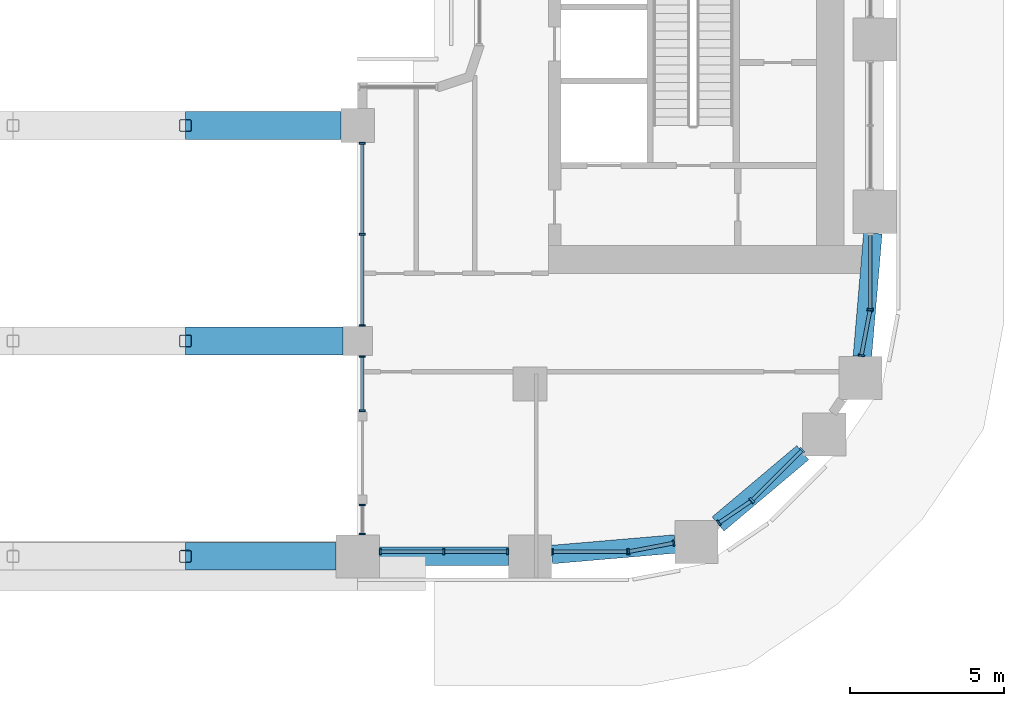
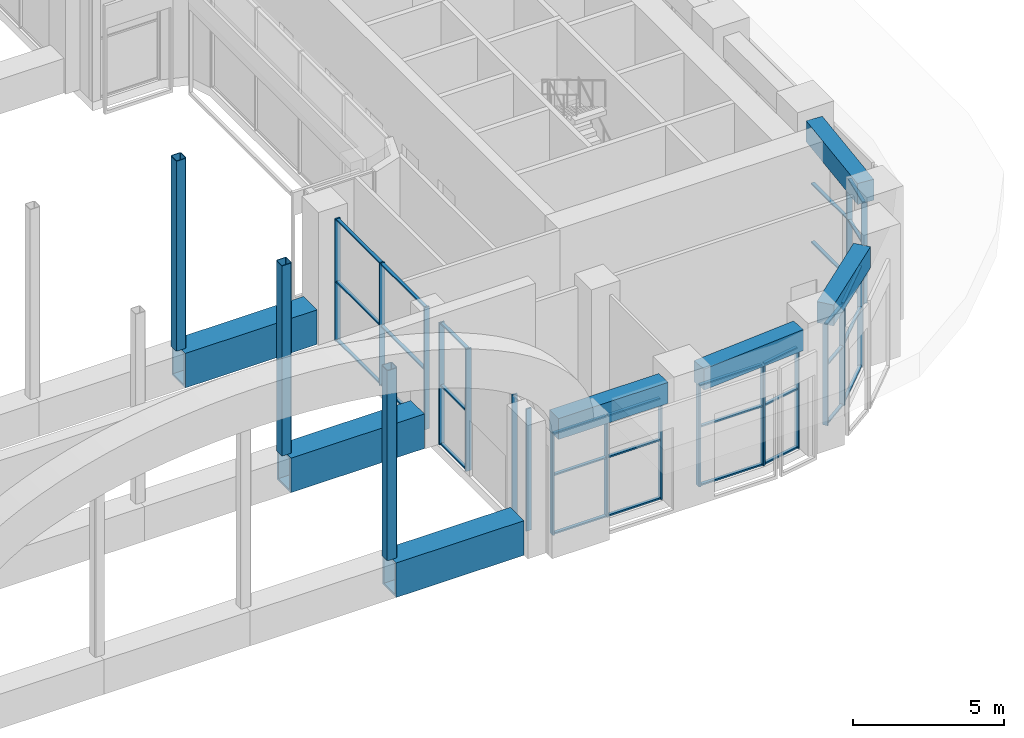
# One storey, part 5 of 27: 59 members, 4 beams, 10 elements without a shape of their own.
"""IFC4 building model written with IfcOpenShell, lengths in metres."""

from ifc_helpers import new_model, si_unit, direction, frame, origin, origin_2d, place, context, subcontext, project, spatial, rectangle, hollow_rectangle, extrude, material, layer, layer_set, material_profile, profile_set, type_object, element, aggregate, save


model = new_model("IFC4")

# Units and contexts
model_context = context("Model", 3, precision=1e-05, world=origin(), true_north=direction((0.0, 1.0)))
body_context = subcontext(model_context, "Body", "Model", "MODEL_VIEW")
ifc_project = project(units=[si_unit("LENGTHUNIT", "METRE"), si_unit("AREAUNIT", "SQUARE_METRE"), si_unit("VOLUMEUNIT", "CUBIC_METRE"), si_unit("PLANEANGLEUNIT", "RADIAN"), si_unit("MASSUNIT", "GRAM", prefix="KILO")], contexts=[model_context])

# Site, building, storey
site_placement = place(None, origin())
site = spatial("IfcSite", under=ifc_project, at=site_placement, CompositionType="ELEMENT")
building_placement = place(site_placement, origin())
building = spatial("IfcBuilding", under=site, at=building_placement, Name="Kiln Ring Residences", CompositionType="ELEMENT")
storey_placement = place(building_placement, frame((0.0, 0.0, 72.5)))
storey = spatial("IfcBuildingStorey", under=building, at=storey_placement, Name="L18", CompositionType="ELEMENT", Elevation=72.5)

# Members
ifc_material_1 = material(Name="Steel S460", Category="steel")
ifc_material_profile_1 = material_profile(ifc_material_1, hollow_rectangle(XDim=0.89990234375, YDim=1.39990234375, WallThickness=0.080078125, at=origin_2d()), Name="BOX1400x900x80")
ifc_profile_set_1 = profile_set([ifc_material_profile_1], Name="Steel S460")
member_type_1 = type_object("IfcMemberType", Name="Bridge truss chord BOX1400x900x80 S460", PredefinedType="CHORD", material=ifc_profile_set_1)
member_1_placement = place(storey_placement, frame((5.60009765625, -22.39990234375, 0.699951171875), z_axis=(1.0, 0.0, 0.0), x_axis=(0.0, 1.0, 0.0)))
element("IfcMember", 1, at=member_1_placement, inside=storey, type_object=member_type_1, Name="Bridge truss chord L18 4", PredefinedType="CHORD", context=body_context, shape_type="SweptSolid", body=[
    extrude(hollow_rectangle(XDim=0.89990234375, YDim=1.39990234375, WallThickness=0.080078125, at=origin_2d()), origin(), (0.0, 0.0, 1.0), 4.89990234375),
])
member_2_placement = place(storey_placement, frame((5.60009765625, -15.39990234375, 0.699951171875), z_axis=(1.0, 0.0, 0.0), x_axis=(0.0, 1.0, 0.0)))
element("IfcMember", 2, at=member_2_placement, inside=storey, type_object=member_type_1, Name="Bridge truss chord L18 8", PredefinedType="CHORD", context=body_context, shape_type="SweptSolid", body=[
    extrude(hollow_rectangle(XDim=0.89990234375, YDim=1.39990234375, WallThickness=0.080078125, at=origin_2d()), origin(), (0.0, 0.0, 1.0), 5.125),
])
member_3_placement = place(storey_placement, frame((5.60009765625, -8.39990234375, 0.699951171875), z_axis=(1.0, 0.0, 0.0), x_axis=(0.0, 1.0, 0.0)))
element("IfcMember", 3, at=member_3_placement, inside=storey, type_object=member_type_1, Name="Bridge truss chord L18 12", PredefinedType="CHORD", context=body_context, shape_type="SweptSolid", body=[
    extrude(hollow_rectangle(XDim=0.89990234375, YDim=1.39990234375, WallThickness=0.080078125, at=origin_2d()), origin(), (0.0, 0.0, 1.0), 5.0498046875),
])
ifc_material_2 = material(Name="Steel S355", Category="steel")
ifc_material_profile_2 = material_profile(ifc_material_2, hollow_rectangle(XDim=0.39990234375, YDim=0.39990234375, WallThickness=0.02490234375, InnerFilletRadius=0.02490234375, OuterFilletRadius=0.0625, at=origin_2d()), Name="SHS400x400x25")
ifc_profile_set_2 = profile_set([ifc_material_profile_2], Name="Steel S355")
member_type_2 = type_object("IfcMemberType", Name="Bridge truss post SHS400x400x25 S355", PredefinedType="POST", material=ifc_profile_set_2)
for number, where, z_axis, x_axis, name in (
    (4, (5.60009765625, -22.39990234375, 1.39990234375), (0.0, 0.0, 1.0), (1.0, 0.0, 0.0), "Bridge truss post L18 3"),
    (5, (5.60009765625, -15.39990234375, 1.39990234375), (0.0, 0.0, 1.0), (1.0, 0.0, 0.0), "Bridge truss post L18 6"),
    (6, (5.60009765625, -8.39990234375, 1.39990234375), (0.0, 0.0, 1.0), (1.0, 0.0, 0.0), "Bridge truss post L18 9"),
):
    element("IfcMember", number, at=place(storey_placement, frame(where, z_axis=z_axis, x_axis=x_axis)), inside=storey, type_object=member_type_2, Name=name, PredefinedType="POST", context=body_context, shape_type="SweptSolid", body=[
        extrude(hollow_rectangle(XDim=0.39990234375, YDim=0.39990234375, WallThickness=0.02490234375, InnerFilletRadius=0.02490234375, OuterFilletRadius=0.0625, at=origin_2d()), origin(), (0.0, 0.0, 1.0), 7.7001953125),
    ])

# Curtain wall, members
ifc_material_3 = material(Name="Aluminium and glass", Category="aluminium")
ifc_layer = layer(ifc_material_3, 0.199951171875)
ifc_layer_set = layer_set([ifc_layer], Name="CW1 CURTAIN WALL")
curtain_wall_type = type_object("IfcCurtainWallType", Name="CW1 CURTAIN WALL", PredefinedType="NOTDEFINED", material=ifc_layer_set)
placement = place(storey_placement, origin())
curtain_wall_1 = element("IfcCurtainWall", 7, at=placement, inside=storey, type_object=curtain_wall_type, Name="Curtain wall CW1 L18", PredefinedType="NOTDEFINED")
ifc_material_4 = material(Name="Aluminium 6063-T6", Category="aluminium")
ifc_material_profile_3 = material_profile(ifc_material_4, rectangle(XDim=0.199951171875, YDim=0.06005859375, at=origin_2d()), Name="AL 200x60")
ifc_profile_set_3 = profile_set([ifc_material_profile_3], Name="Aluminium 6063-T6")
member_type_3 = type_object("IfcMemberType", Name="CW1 MULLION 200 x 60", PredefinedType="MULLION", material=ifc_profile_set_3)
member_4_placement = place(storey_placement, frame((11.35009765625, -8.97998046875, 0.0), z_axis=(0.0, 0.0, 1.0), x_axis=(1.0, 0.0, 0.0)))
member_4 = element("IfcMember", 8, at=member_4_placement, type_object=member_type_3, Name="CW1 mullion 1", PredefinedType="MULLION", context=body_context, shape_type="SweptSolid", body=[
    extrude(rectangle(XDim=0.199951171875, YDim=0.06005859375, at=origin_2d()), origin(), (0.0, 0.0, 1.0), 4.949951171875),
])
member_5_placement = place(storey_placement, frame((11.35009765625, -11.9375, 0.0), z_axis=(0.0, 0.0, 1.0), x_axis=(1.0, 0.0, 0.0)))
member_5 = element("IfcMember", 9, at=member_5_placement, type_object=member_type_3, Name="CW1 mullion 2", PredefinedType="MULLION", context=body_context, shape_type="SweptSolid", body=[
    extrude(rectangle(XDim=0.199951171875, YDim=0.06005859375, at=origin_2d()), origin(), (0.0, 0.0, 1.0), 4.949951171875),
])
member_6_placement = place(storey_placement, frame((11.35009765625, -14.89501953125, 0.0), z_axis=(0.0, 0.0, 1.0), x_axis=(1.0, 0.0, 0.0)))
member_6 = element("IfcMember", 10, at=member_6_placement, type_object=member_type_3, Name="CW1 mullion 3", PredefinedType="MULLION", context=body_context, shape_type="SweptSolid", body=[
    extrude(rectangle(XDim=0.199951171875, YDim=0.06005859375, at=origin_2d()), origin(), (0.0, 0.0, 1.0), 4.949951171875),
])

curtain_wall_2 = element("IfcCurtainWall", 11, at=placement, inside=storey, type_object=curtain_wall_type, Name="Curtain wall CW1 L18", PredefinedType="NOTDEFINED")
member_7_placement = place(storey_placement, frame((11.35009765625, -15.905029296875, 0.0), z_axis=(0.0, 0.0, 1.0), x_axis=(1.0, 0.0, 0.0)))
member_7 = element("IfcMember", 12, at=member_7_placement, type_object=member_type_3, Name="CW1 mullion 1", PredefinedType="MULLION", context=body_context, shape_type="SweptSolid", body=[
    extrude(rectangle(XDim=0.199951171875, YDim=0.06005859375, at=origin_2d()), origin(), (0.0, 0.0, 1.0), 4.949951171875),
])
member_8_placement = place(storey_placement, frame((11.35009765625, -17.669921875, 0.0), z_axis=(0.0, 0.0, 1.0), x_axis=(1.0, 0.0, 0.0)))
member_8 = element("IfcMember", 13, at=member_8_placement, type_object=member_type_3, Name="CW1 mullion 2", PredefinedType="MULLION", context=body_context, shape_type="SweptSolid", body=[
    extrude(rectangle(XDim=0.199951171875, YDim=0.06005859375, at=origin_2d()), origin(), (0.0, 0.0, 1.0), 4.949951171875),
])

curtain_wall_3 = element("IfcCurtainWall", 14, at=placement, inside=storey, type_object=curtain_wall_type, Name="Curtain wall CW1 L18", PredefinedType="NOTDEFINED")
member_9_placement = place(storey_placement, frame((11.35009765625, -20.72998046875, 0.0), z_axis=(0.0, 0.0, 1.0), x_axis=(1.0, 0.0, 0.0)))
member_9 = element("IfcMember", 15, at=member_9_placement, type_object=member_type_3, Name="CW1 mullion 1", PredefinedType="MULLION", context=body_context, shape_type="SweptSolid", body=[
    extrude(rectangle(XDim=0.199951171875, YDim=0.06005859375, at=origin_2d()), origin(), (0.0, 0.0, 1.0), 4.949951171875),
])
member_10_placement = place(storey_placement, frame((11.35009765625, -21.669921875, 0.0), z_axis=(0.0, 0.0, 1.0), x_axis=(1.0, 0.0, 0.0)))
member_10 = element("IfcMember", 16, at=member_10_placement, type_object=member_type_3, Name="CW1 mullion 2", PredefinedType="MULLION", context=body_context, shape_type="SweptSolid", body=[
    extrude(rectangle(XDim=0.199951171875, YDim=0.06005859375, at=origin_2d()), origin(), (0.0, 0.0, 1.0), 4.949951171875),
])
aggregate(curtain_wall_3, [member_9, member_10])

curtain_wall_4 = element("IfcCurtainWall", 17, at=placement, inside=storey, type_object=curtain_wall_type, Name="Curtain wall CW1 L18", PredefinedType="NOTDEFINED")
member_11_placement = place(storey_placement, frame((11.929931640625, -22.25, 0.0), z_axis=(0.0, 0.0, 1.0), x_axis=(0.0, 1.0, 0.0)))
member_11 = element("IfcMember", 18, at=member_11_placement, type_object=member_type_3, Name="CW1 mullion 1", PredefinedType="MULLION", context=body_context, shape_type="SweptSolid", body=[
    extrude(rectangle(XDim=0.199951171875, YDim=0.06005859375, at=origin_2d()), origin(), (0.0, 0.0, 1.0), 4.10009765625),
])
member_12_placement = place(storey_placement, frame((14.0, -22.25, 0.0), z_axis=(0.0, 0.0, 1.0), x_axis=(0.0, 1.0, 0.0)))
member_12 = element("IfcMember", 19, at=member_12_placement, type_object=member_type_3, Name="CW1 mullion 2", PredefinedType="MULLION", context=body_context, shape_type="SweptSolid", body=[
    extrude(rectangle(XDim=0.199951171875, YDim=0.06005859375, at=origin_2d()), origin(), (0.0, 0.0, 1.0), 4.10009765625),
])
member_13_placement = place(storey_placement, frame((16.070068359375, -22.25, 0.0), z_axis=(0.0, 0.0, 1.0), x_axis=(0.0, 1.0, 0.0)))
member_13 = element("IfcMember", 20, at=member_13_placement, type_object=member_type_3, Name="CW1 mullion 3", PredefinedType="MULLION", context=body_context, shape_type="SweptSolid", body=[
    extrude(rectangle(XDim=0.199951171875, YDim=0.06005859375, at=origin_2d()), origin(), (0.0, 0.0, 1.0), 4.10009765625),
])

curtain_wall_5 = element("IfcCurtainWall", 21, at=placement, inside=storey, type_object=curtain_wall_type, Name="Curtain wall CW1 L18", PredefinedType="NOTDEFINED")
member_14_placement = place(storey_placement, frame((17.530029296875, -22.25, 0.0), z_axis=(0.0, 0.0, 1.0), x_axis=(0.0, 1.0, 0.0)))
member_14 = element("IfcMember", 22, at=member_14_placement, type_object=member_type_3, Name="CW1 mullion 1", PredefinedType="MULLION", context=body_context, shape_type="SweptSolid", body=[
    extrude(rectangle(XDim=0.199951171875, YDim=0.06005859375, at=origin_2d()), origin(), (0.0, 0.0, 1.0), 4.10009765625),
])
member_15_placement = place(storey_placement, frame((19.969970703125, -22.25, 0.0), z_axis=(0.0, 0.0, 1.0), x_axis=(0.0, 1.0, 0.0)))
member_15 = element("IfcMember", 23, at=member_15_placement, type_object=member_type_3, Name="CW1 mullion 2", PredefinedType="MULLION", context=body_context, shape_type="SweptSolid", body=[
    extrude(rectangle(XDim=0.199951171875, YDim=0.06005859375, at=origin_2d()), origin(), (0.0, 0.0, 1.0), 4.10009765625),
])

curtain_wall_6 = element("IfcCurtainWall", 24, at=placement, inside=storey, type_object=curtain_wall_type, Name="Curtain wall CW1 L18", PredefinedType="NOTDEFINED")
member_16_placement = place(storey_placement, frame((20.00146484375, -22.2470703125, 0.0), z_axis=(0.0, 0.0, 1.0), x_axis=(-0.187365550313, 0.982290257793, 0.0)))
member_16 = element("IfcMember", 25, at=member_16_placement, type_object=member_type_3, Name="CW1 mullion 1", PredefinedType="MULLION", context=body_context, shape_type="SweptSolid", body=[
    extrude(rectangle(XDim=0.199951171875, YDim=0.06005859375, at=origin_2d()), origin(), (0.0, 0.0, 1.0), 4.10009765625),
])
member_17_placement = place(storey_placement, frame((21.470947265625, -21.966796875, 0.0), z_axis=(0.0, 0.0, 1.0), x_axis=(-0.187365550313, 0.982290257793, 0.0)))
member_17 = element("IfcMember", 26, at=member_17_placement, type_object=member_type_3, Name="CW1 mullion 2", PredefinedType="MULLION", context=body_context, shape_type="SweptSolid", body=[
    extrude(rectangle(XDim=0.199951171875, YDim=0.06005859375, at=origin_2d()), origin(), (0.0, 0.0, 1.0), 4.10009765625),
])

curtain_wall_7 = element("IfcCurtainWall", 27, at=placement, inside=storey, type_object=curtain_wall_type, Name="Curtain wall CW1 L18", PredefinedType="NOTDEFINED")
member_18_placement = place(storey_placement, frame((22.93359375, -21.312255859375, 0.0), z_axis=(0.0, 0.0, 1.0), x_axis=(-0.56209665138, 0.827071553439, 0.0)))
member_18 = element("IfcMember", 28, at=member_18_placement, type_object=member_type_3, Name="CW1 mullion 1", PredefinedType="MULLION", context=body_context, shape_type="SweptSolid", body=[
    extrude(rectangle(XDim=0.199951171875, YDim=0.06005859375, at=origin_2d()), origin(), (0.0, 0.0, 1.0), 4.10009765625),
])
member_19_placement = place(storey_placement, frame((23.988037109375, -20.595703125, 0.0), z_axis=(0.0, 0.0, 1.0), x_axis=(-0.56209665138, 0.827071553439, 0.0)))
member_19 = element("IfcMember", 29, at=member_19_placement, type_object=member_type_3, Name="CW1 mullion 2", PredefinedType="MULLION", context=body_context, shape_type="SweptSolid", body=[
    extrude(rectangle(XDim=0.199951171875, YDim=0.06005859375, at=origin_2d()), origin(), (0.0, 0.0, 1.0), 4.10009765625),
])

curtain_wall_8 = element("IfcCurtainWall", 30, at=placement, inside=storey, type_object=curtain_wall_type, Name="Curtain wall CW1 L18", PredefinedType="NOTDEFINED")
member_20_placement = place(storey_placement, frame((24.01220703125, -20.57568359375, 0.0), z_axis=(0.0, 0.0, 1.0), x_axis=(-0.707106781187, 0.707106781187, 0.0)))
member_20 = element("IfcMember", 31, at=member_20_placement, type_object=member_type_3, Name="CW1 mullion 1", PredefinedType="MULLION", context=body_context, shape_type="SweptSolid", body=[
    extrude(rectangle(XDim=0.199951171875, YDim=0.06005859375, at=origin_2d()), origin(), (0.0, 0.0, 1.0), 4.10009765625),
])
member_21_placement = place(storey_placement, frame((25.638671875, -18.94921875, 0.0), z_axis=(0.0, 0.0, 1.0), x_axis=(-0.707106781187, 0.707106781187, 0.0)))
member_21 = element("IfcMember", 32, at=member_21_placement, type_object=member_type_3, Name="CW1 mullion 2", PredefinedType="MULLION", context=body_context, shape_type="SweptSolid", body=[
    extrude(rectangle(XDim=0.199951171875, YDim=0.06005859375, at=origin_2d()), origin(), (0.0, 0.0, 1.0), 4.10009765625),
])

curtain_wall_9 = element("IfcCurtainWall", 33, at=placement, inside=storey, type_object=curtain_wall_type, Name="Curtain wall CW1 L18", PredefinedType="NOTDEFINED")
member_22_placement = place(storey_placement, frame((27.566650390625, -15.87109375, 0.0), z_axis=(0.0, 0.0, 1.0), x_axis=(-0.982290257793, 0.187365550313, 0.0)))
member_22 = element("IfcMember", 34, at=member_22_placement, type_object=member_type_3, Name="CW1 mullion 1", PredefinedType="MULLION", context=body_context, shape_type="SweptSolid", body=[
    extrude(rectangle(XDim=0.199951171875, YDim=0.06005859375, at=origin_2d()), origin(), (0.0, 0.0, 1.0), 4.10009765625),
])
member_23_placement = place(storey_placement, frame((27.846923828125, -14.4013671875, 0.0), z_axis=(0.0, 0.0, 1.0), x_axis=(-0.982290257793, 0.187365550313, 0.0)))
member_23 = element("IfcMember", 35, at=member_23_placement, type_object=member_type_3, Name="CW1 mullion 2", PredefinedType="MULLION", context=body_context, shape_type="SweptSolid", body=[
    extrude(rectangle(XDim=0.199951171875, YDim=0.06005859375, at=origin_2d()), origin(), (0.0, 0.0, 1.0), 4.10009765625),
])

# Curtain wall, member
curtain_wall_10 = element("IfcCurtainWall", 36, at=placement, inside=storey, type_object=curtain_wall_type, Name="Curtain wall CW1 L18", PredefinedType="NOTDEFINED")
member_24_placement = place(storey_placement, frame((27.85009765625, -14.3701171875, 0.0), z_axis=(0.0, 0.0, 1.0), x_axis=(-1.0, 0.0, 0.0)))
member_24 = element("IfcMember", 37, at=member_24_placement, type_object=member_type_3, Name="CW1 mullion 1", PredefinedType="MULLION", context=body_context, shape_type="SweptSolid", body=[
    extrude(rectangle(XDim=0.199951171875, YDim=0.06005859375, at=origin_2d()), origin(), (0.0, 0.0, 1.0), 4.10009765625),
])

# Member
ifc_material_5 = material(Name="Aluminium 6063-T6", Category="aluminium")
ifc_material_profile_4 = material_profile(ifc_material_5, rectangle(XDim=0.1201171875, YDim=0.06005859375, at=origin_2d()), Name="AL 120x60")
ifc_profile_set_4 = profile_set([ifc_material_profile_4], Name="Aluminium 6063-T6")
member_type_4 = type_object("IfcMemberType", Name="CW1 TRANSOM 120 x 60", PredefinedType="USERDEFINED", material=ifc_profile_set_4)
member_25_placement = place(storey_placement, frame((11.35009765625, -9.010009765625, 0.030029296875), z_axis=(0.0, -1.0, 0.0), x_axis=(1.0, 0.0, 0.0)))
member_25 = element("IfcMember", 38, at=member_25_placement, type_object=member_type_4, Name="CW1 transom 1.1", ObjectType="TRANSOM", PredefinedType="USERDEFINED", context=body_context, shape_type="SweptSolid", body=[
    extrude(rectangle(XDim=0.1201171875, YDim=0.06005859375, at=origin_2d()), origin(), (0.0, 0.0, 1.0), 2.8974609375),
])

member_26_placement = place(storey_placement, frame((11.35009765625, -9.010009765625, 2.39990234375), z_axis=(0.0, -1.0, 0.0), x_axis=(1.0, 0.0, 0.0)))
member_26 = element("IfcMember", 39, at=member_26_placement, type_object=member_type_4, Name="CW1 transom 1.2", ObjectType="TRANSOM", PredefinedType="USERDEFINED", context=body_context, shape_type="SweptSolid", body=[
    extrude(rectangle(XDim=0.1201171875, YDim=0.06005859375, at=origin_2d()), origin(), (0.0, 0.0, 1.0), 2.8974609375),
])

member_27_placement = place(storey_placement, frame((11.35009765625, -9.010009765625, 4.919921875), z_axis=(0.0, -1.0, 0.0), x_axis=(1.0, 0.0, 0.0)))
member_27 = element("IfcMember", 40, at=member_27_placement, type_object=member_type_4, Name="CW1 transom 1.3", ObjectType="TRANSOM", PredefinedType="USERDEFINED", context=body_context, shape_type="SweptSolid", body=[
    extrude(rectangle(XDim=0.1201171875, YDim=0.06005859375, at=origin_2d()), origin(), (0.0, 0.0, 1.0), 2.8974609375),
])

member_28_placement = place(storey_placement, frame((11.35009765625, -11.967529296875, 0.030029296875), z_axis=(0.0, -1.0, 0.0), x_axis=(1.0, 0.0, 0.0)))
member_28 = element("IfcMember", 41, at=member_28_placement, type_object=member_type_4, Name="CW1 transom 2.1", ObjectType="TRANSOM", PredefinedType="USERDEFINED", context=body_context, shape_type="SweptSolid", body=[
    extrude(rectangle(XDim=0.1201171875, YDim=0.06005859375, at=origin_2d()), origin(), (0.0, 0.0, 1.0), 2.8974609375),
])

member_29_placement = place(storey_placement, frame((11.35009765625, -11.967529296875, 2.39990234375), z_axis=(0.0, -1.0, 0.0), x_axis=(1.0, 0.0, 0.0)))
member_29 = element("IfcMember", 42, at=member_29_placement, type_object=member_type_4, Name="CW1 transom 2.2", ObjectType="TRANSOM", PredefinedType="USERDEFINED", context=body_context, shape_type="SweptSolid", body=[
    extrude(rectangle(XDim=0.1201171875, YDim=0.06005859375, at=origin_2d()), origin(), (0.0, 0.0, 1.0), 2.8974609375),
])

member_30_placement = place(storey_placement, frame((11.35009765625, -11.967529296875, 4.919921875), z_axis=(0.0, -1.0, 0.0), x_axis=(1.0, 0.0, 0.0)))
member_30 = element("IfcMember", 43, at=member_30_placement, type_object=member_type_4, Name="CW1 transom 2.3", ObjectType="TRANSOM", PredefinedType="USERDEFINED", context=body_context, shape_type="SweptSolid", body=[
    extrude(rectangle(XDim=0.1201171875, YDim=0.06005859375, at=origin_2d()), origin(), (0.0, 0.0, 1.0), 2.8974609375),
])

aggregate(curtain_wall_1, [member_4, member_5, member_6, member_25, member_26, member_27, member_28, member_29, member_30])

member_31_placement = place(storey_placement, frame((11.35009765625, -15.93505859375, 0.030029296875), z_axis=(0.0, -1.0, 0.0), x_axis=(1.0, 0.0, 0.0)))
member_31 = element("IfcMember", 44, at=member_31_placement, type_object=member_type_4, Name="CW1 transom 1.1", ObjectType="TRANSOM", PredefinedType="USERDEFINED", context=body_context, shape_type="SweptSolid", body=[
    extrude(rectangle(XDim=0.1201171875, YDim=0.06005859375, at=origin_2d()), origin(), (0.0, 0.0, 1.0), 1.704833984375),
])

member_32_placement = place(storey_placement, frame((11.35009765625, -15.93505859375, 2.39990234375), z_axis=(0.0, -1.0, 0.0), x_axis=(1.0, 0.0, 0.0)))
member_32 = element("IfcMember", 45, at=member_32_placement, type_object=member_type_4, Name="CW1 transom 1.2", ObjectType="TRANSOM", PredefinedType="USERDEFINED", context=body_context, shape_type="SweptSolid", body=[
    extrude(rectangle(XDim=0.1201171875, YDim=0.06005859375, at=origin_2d()), origin(), (0.0, 0.0, 1.0), 1.704833984375),
])

member_33_placement = place(storey_placement, frame((11.35009765625, -15.93505859375, 4.919921875), z_axis=(0.0, -1.0, 0.0), x_axis=(1.0, 0.0, 0.0)))
member_33 = element("IfcMember", 46, at=member_33_placement, type_object=member_type_4, Name="CW1 transom 1.3", ObjectType="TRANSOM", PredefinedType="USERDEFINED", context=body_context, shape_type="SweptSolid", body=[
    extrude(rectangle(XDim=0.1201171875, YDim=0.06005859375, at=origin_2d()), origin(), (0.0, 0.0, 1.0), 1.704833984375),
])

aggregate(curtain_wall_2, [member_7, member_8, member_31, member_32, member_33])

member_34_placement = place(storey_placement, frame((11.9599609375, -22.25, 0.030029296875), z_axis=(1.0, 0.0, 0.0), x_axis=(0.0, 1.0, 0.0)))
member_34 = element("IfcMember", 47, at=member_34_placement, type_object=member_type_4, Name="CW1 transom 1.1", ObjectType="TRANSOM", PredefinedType="USERDEFINED", context=body_context, shape_type="SweptSolid", body=[
    extrude(rectangle(XDim=0.1201171875, YDim=0.06005859375, at=origin_2d()), origin(), (0.0, 0.0, 1.0), 2.010009765625),
])

member_35_placement = place(storey_placement, frame((11.9599609375, -22.25, 2.39990234375), z_axis=(1.0, 0.0, 0.0), x_axis=(0.0, 1.0, 0.0)))
member_35 = element("IfcMember", 48, at=member_35_placement, type_object=member_type_4, Name="CW1 transom 1.2", ObjectType="TRANSOM", PredefinedType="USERDEFINED", context=body_context, shape_type="SweptSolid", body=[
    extrude(rectangle(XDim=0.1201171875, YDim=0.06005859375, at=origin_2d()), origin(), (0.0, 0.0, 1.0), 2.010009765625),
])

member_36_placement = place(storey_placement, frame((11.9599609375, -22.25, 4.070068359375), z_axis=(1.0, 0.0, 0.0), x_axis=(0.0, 1.0, 0.0)))
member_36 = element("IfcMember", 49, at=member_36_placement, type_object=member_type_4, Name="CW1 transom 1.3", ObjectType="TRANSOM", PredefinedType="USERDEFINED", context=body_context, shape_type="SweptSolid", body=[
    extrude(rectangle(XDim=0.1201171875, YDim=0.06005859375, at=origin_2d()), origin(), (0.0, 0.0, 1.0), 2.010009765625),
])

member_37_placement = place(storey_placement, frame((14.030029296875, -22.25, 0.030029296875), z_axis=(1.0, 0.0, 0.0), x_axis=(0.0, 1.0, 0.0)))
member_37 = element("IfcMember", 50, at=member_37_placement, type_object=member_type_4, Name="CW1 transom 2.1", ObjectType="TRANSOM", PredefinedType="USERDEFINED", context=body_context, shape_type="SweptSolid", body=[
    extrude(rectangle(XDim=0.1201171875, YDim=0.06005859375, at=origin_2d()), origin(), (0.0, 0.0, 1.0), 2.010009765625),
])

member_38_placement = place(storey_placement, frame((14.030029296875, -22.25, 2.39990234375), z_axis=(1.0, 0.0, 0.0), x_axis=(0.0, 1.0, 0.0)))
member_38 = element("IfcMember", 51, at=member_38_placement, type_object=member_type_4, Name="CW1 transom 2.2", ObjectType="TRANSOM", PredefinedType="USERDEFINED", context=body_context, shape_type="SweptSolid", body=[
    extrude(rectangle(XDim=0.1201171875, YDim=0.06005859375, at=origin_2d()), origin(), (0.0, 0.0, 1.0), 2.010009765625),
])

member_39_placement = place(storey_placement, frame((14.030029296875, -22.25, 4.070068359375), z_axis=(1.0, 0.0, 0.0), x_axis=(0.0, 1.0, 0.0)))
member_39 = element("IfcMember", 52, at=member_39_placement, type_object=member_type_4, Name="CW1 transom 2.3", ObjectType="TRANSOM", PredefinedType="USERDEFINED", context=body_context, shape_type="SweptSolid", body=[
    extrude(rectangle(XDim=0.1201171875, YDim=0.06005859375, at=origin_2d()), origin(), (0.0, 0.0, 1.0), 2.010009765625),
])

aggregate(curtain_wall_4, [member_11, member_12, member_13, member_34, member_35, member_36, member_37, member_38, member_39])

member_40_placement = place(storey_placement, frame((17.56005859375, -22.25, 0.030029296875), z_axis=(1.0, 0.0, 0.0), x_axis=(0.0, 1.0, 0.0)))
member_40 = element("IfcMember", 53, at=member_40_placement, type_object=member_type_4, Name="CW1 transom 1.1", ObjectType="TRANSOM", PredefinedType="USERDEFINED", context=body_context, shape_type="SweptSolid", body=[
    extrude(rectangle(XDim=0.1201171875, YDim=0.06005859375, at=origin_2d()), origin(), (0.0, 0.0, 1.0), 2.3798828125),
])

member_41_placement = place(storey_placement, frame((17.56005859375, -22.25, 2.39990234375), z_axis=(1.0, 0.0, 0.0), x_axis=(0.0, 1.0, 0.0)))
member_41 = element("IfcMember", 54, at=member_41_placement, type_object=member_type_4, Name="CW1 transom 1.2", ObjectType="TRANSOM", PredefinedType="USERDEFINED", context=body_context, shape_type="SweptSolid", body=[
    extrude(rectangle(XDim=0.1201171875, YDim=0.06005859375, at=origin_2d()), origin(), (0.0, 0.0, 1.0), 2.3798828125),
])

member_42_placement = place(storey_placement, frame((17.56005859375, -22.25, 4.070068359375), z_axis=(1.0, 0.0, 0.0), x_axis=(0.0, 1.0, 0.0)))
member_42 = element("IfcMember", 55, at=member_42_placement, type_object=member_type_4, Name="CW1 transom 1.3", ObjectType="TRANSOM", PredefinedType="USERDEFINED", context=body_context, shape_type="SweptSolid", body=[
    extrude(rectangle(XDim=0.1201171875, YDim=0.06005859375, at=origin_2d()), origin(), (0.0, 0.0, 1.0), 2.3798828125),
])

aggregate(curtain_wall_5, [member_14, member_15, member_40, member_41, member_42])

member_43_placement = place(storey_placement, frame((20.03076171875, -22.241455078125, 0.030029296875), z_axis=(0.982293897976, 0.187346465138, 0.0), x_axis=(-0.187346465138, 0.982293897976, 0.0)))
member_43 = element("IfcMember", 56, at=member_43_placement, type_object=member_type_4, Name="CW1 transom 1.1", ObjectType="TRANSOM", PredefinedType="USERDEFINED", context=body_context, shape_type="SweptSolid", body=[
    extrude(rectangle(XDim=0.1201171875, YDim=0.06005859375, at=origin_2d()), origin(), (0.0, 0.0, 1.0), 1.43603515625),
])

member_44_placement = place(storey_placement, frame((20.03076171875, -22.241455078125, 2.39990234375), z_axis=(0.982293897976, 0.187346465138, 0.0), x_axis=(-0.187346465138, 0.982293897976, 0.0)))
member_44 = element("IfcMember", 57, at=member_44_placement, type_object=member_type_4, Name="CW1 transom 1.2", ObjectType="TRANSOM", PredefinedType="USERDEFINED", context=body_context, shape_type="SweptSolid", body=[
    extrude(rectangle(XDim=0.1201171875, YDim=0.06005859375, at=origin_2d()), origin(), (0.0, 0.0, 1.0), 1.43603515625),
])

member_45_placement = place(storey_placement, frame((20.03076171875, -22.241455078125, 4.070068359375), z_axis=(0.982293897976, 0.187346465138, 0.0), x_axis=(-0.187346465138, 0.982293897976, 0.0)))
member_45 = element("IfcMember", 58, at=member_45_placement, type_object=member_type_4, Name="CW1 transom 1.3", ObjectType="TRANSOM", PredefinedType="USERDEFINED", context=body_context, shape_type="SweptSolid", body=[
    extrude(rectangle(XDim=0.1201171875, YDim=0.06005859375, at=origin_2d()), origin(), (0.0, 0.0, 1.0), 1.43603515625),
])

aggregate(curtain_wall_6, [member_16, member_17, member_43, member_44, member_45])

member_46_placement = place(storey_placement, frame((22.958251953125, -21.29541015625, 0.030029296875), z_axis=(0.827102126361, 0.562051663613, 0.0), x_axis=(-0.562051663613, 0.827102126361, 0.0)))
member_46 = element("IfcMember", 59, at=member_46_placement, type_object=member_type_4, Name="CW1 transom 1.1", ObjectType="TRANSOM", PredefinedType="USERDEFINED", context=body_context, shape_type="SweptSolid", body=[
    extrude(rectangle(XDim=0.1201171875, YDim=0.06005859375, at=origin_2d()), origin(), (0.0, 0.0, 1.0), 1.21484375),
])

member_47_placement = place(storey_placement, frame((22.958251953125, -21.29541015625, 2.39990234375), z_axis=(0.827102126361, 0.562051663613, 0.0), x_axis=(-0.562051663613, 0.827102126361, 0.0)))
member_47 = element("IfcMember", 60, at=member_47_placement, type_object=member_type_4, Name="CW1 transom 1.2", ObjectType="TRANSOM", PredefinedType="USERDEFINED", context=body_context, shape_type="SweptSolid", body=[
    extrude(rectangle(XDim=0.1201171875, YDim=0.06005859375, at=origin_2d()), origin(), (0.0, 0.0, 1.0), 1.21484375),
])

member_48_placement = place(storey_placement, frame((22.958251953125, -21.29541015625, 4.070068359375), z_axis=(0.827102126361, 0.562051663613, 0.0), x_axis=(-0.562051663613, 0.827102126361, 0.0)))
member_48 = element("IfcMember", 61, at=member_48_placement, type_object=member_type_4, Name="CW1 transom 1.3", ObjectType="TRANSOM", PredefinedType="USERDEFINED", context=body_context, shape_type="SweptSolid", body=[
    extrude(rectangle(XDim=0.1201171875, YDim=0.06005859375, at=origin_2d()), origin(), (0.0, 0.0, 1.0), 1.21484375),
])

aggregate(curtain_wall_7, [member_18, member_19, member_46, member_47, member_48])

member_49_placement = place(storey_placement, frame((24.033447265625, -20.554443359375, 0.030029296875), z_axis=(0.707106781187, 0.707106781187, 0.0), x_axis=(-0.707106781187, 0.707106781187, 0.0)))
member_49 = element("IfcMember", 62, at=member_49_placement, type_object=member_type_4, Name="CW1 transom 1.1", ObjectType="TRANSOM", PredefinedType="USERDEFINED", context=body_context, shape_type="SweptSolid", body=[
    extrude(rectangle(XDim=0.1201171875, YDim=0.06005859375, at=origin_2d()), origin(), (0.0, 0.0, 1.0), 2.239990234375),
])

member_50_placement = place(storey_placement, frame((24.033447265625, -20.554443359375, 2.39990234375), z_axis=(0.707106781187, 0.707106781187, 0.0), x_axis=(-0.707106781187, 0.707106781187, 0.0)))
member_50 = element("IfcMember", 63, at=member_50_placement, type_object=member_type_4, Name="CW1 transom 1.2", ObjectType="TRANSOM", PredefinedType="USERDEFINED", context=body_context, shape_type="SweptSolid", body=[
    extrude(rectangle(XDim=0.1201171875, YDim=0.06005859375, at=origin_2d()), origin(), (0.0, 0.0, 1.0), 2.239990234375),
])

member_51_placement = place(storey_placement, frame((24.033447265625, -20.554443359375, 4.070068359375), z_axis=(0.707106781187, 0.707106781187, 0.0), x_axis=(-0.707106781187, 0.707106781187, 0.0)))
member_51 = element("IfcMember", 64, at=member_51_placement, type_object=member_type_4, Name="CW1 transom 1.3", ObjectType="TRANSOM", PredefinedType="USERDEFINED", context=body_context, shape_type="SweptSolid", body=[
    extrude(rectangle(XDim=0.1201171875, YDim=0.06005859375, at=origin_2d()), origin(), (0.0, 0.0, 1.0), 2.239990234375),
])

aggregate(curtain_wall_8, [member_20, member_21, member_49, member_50, member_51])

member_52_placement = place(storey_placement, frame((27.572265625, -15.841552734375, 0.030029296875), z_axis=(0.187346465138, 0.982293897976, 0.0), x_axis=(-0.982293897976, 0.187346465138, 0.0)))
member_52 = element("IfcMember", 65, at=member_52_placement, type_object=member_type_4, Name="CW1 transom 1.1", ObjectType="TRANSOM", PredefinedType="USERDEFINED", context=body_context, shape_type="SweptSolid", body=[
    extrude(rectangle(XDim=0.1201171875, YDim=0.06005859375, at=origin_2d()), origin(), (0.0, 0.0, 1.0), 1.43603515625),
])

member_53_placement = place(storey_placement, frame((27.572265625, -15.841552734375, 2.39990234375), z_axis=(0.187346465138, 0.982293897976, 0.0), x_axis=(-0.982293897976, 0.187346465138, 0.0)))
member_53 = element("IfcMember", 66, at=member_53_placement, type_object=member_type_4, Name="CW1 transom 1.2", ObjectType="TRANSOM", PredefinedType="USERDEFINED", context=body_context, shape_type="SweptSolid", body=[
    extrude(rectangle(XDim=0.1201171875, YDim=0.06005859375, at=origin_2d()), origin(), (0.0, 0.0, 1.0), 1.43603515625),
])

member_54_placement = place(storey_placement, frame((27.572265625, -15.841552734375, 4.070068359375), z_axis=(0.187346465138, 0.982293897976, 0.0), x_axis=(-0.982293897976, 0.187346465138, 0.0)))
member_54 = element("IfcMember", 67, at=member_54_placement, type_object=member_type_4, Name="CW1 transom 1.3", ObjectType="TRANSOM", PredefinedType="USERDEFINED", context=body_context, shape_type="SweptSolid", body=[
    extrude(rectangle(XDim=0.1201171875, YDim=0.06005859375, at=origin_2d()), origin(), (0.0, 0.0, 1.0), 1.43603515625),
])

aggregate(curtain_wall_9, [member_22, member_23, member_52, member_53, member_54])

member_55_placement = place(storey_placement, frame((27.85009765625, -14.340087890625, 0.030029296875), z_axis=(0.0, 1.0, 0.0), x_axis=(-1.0, 0.0, 0.0)))
member_55 = element("IfcMember", 68, at=member_55_placement, type_object=member_type_4, Name="CW1 transom 1.1", ObjectType="TRANSOM", PredefinedType="USERDEFINED", context=body_context, shape_type="SweptSolid", body=[
    extrude(rectangle(XDim=0.1201171875, YDim=0.06005859375, at=origin_2d()), origin(), (0.0, 0.0, 1.0), 2.380126953125),
])

member_56_placement = place(storey_placement, frame((27.85009765625, -14.340087890625, 2.39990234375), z_axis=(0.0, 1.0, 0.0), x_axis=(-1.0, 0.0, 0.0)))
member_56 = element("IfcMember", 69, at=member_56_placement, type_object=member_type_4, Name="CW1 transom 1.2", ObjectType="TRANSOM", PredefinedType="USERDEFINED", context=body_context, shape_type="SweptSolid", body=[
    extrude(rectangle(XDim=0.1201171875, YDim=0.06005859375, at=origin_2d()), origin(), (0.0, 0.0, 1.0), 2.380126953125),
])

aggregate(curtain_wall_10, [member_24, member_55, member_56])

# Beams
ifc_material_6 = material(Name="Concrete C50/60", Category="concrete")
ifc_material_profile_5 = material_profile(ifc_material_6, rectangle(XDim=0.60009765625, YDim=0.85009765625, at=origin_2d()), Name="RC600x850")
ifc_profile_set_5 = profile_set([ifc_material_profile_5], Name="Concrete C50/60")
beam_type = type_object("IfcBeamType", Name="Spandrel beam RC600x850 C50/60", PredefinedType="SPANDREL", material=ifc_profile_set_5)
beam_1_placement = place(storey_placement, frame((11.89990234375, -22.39990234375, 4.52490234375), z_axis=(1.0, 0.0, 0.0), x_axis=(0.0, 1.0, 0.0)))
element("IfcBeam", 70, at=beam_1_placement, inside=storey, type_object=beam_type, Name="Spandrel beam L18 3", PredefinedType="SPANDREL", context=body_context, shape_type="SweptSolid", body=[
    extrude(rectangle(XDim=0.60009765625, YDim=0.85009765625, at=origin_2d()), origin(), (0.0, 0.0, 1.0), 4.2001953125),
])
beam_2_placement = place(storey_placement, frame((17.5, -22.34033203125, 4.52490234375), z_axis=(0.996369479058, 0.085134371444, 0.0), x_axis=(-0.085134371444, 0.996369479058, 0.0)))
element("IfcBeam", 71, at=beam_2_placement, inside=storey, type_object=beam_type, Name="Spandrel beam L18 4", PredefinedType="SPANDREL", context=body_context, shape_type="SweptSolid", body=[
    extrude(rectangle(XDim=0.60009765625, YDim=0.85009765625, at=origin_2d()), origin(), (0.0, 0.0, 1.0), 4.0234375),
])
beam_3_placement = place(storey_placement, frame((22.90869140625, -21.34814453125, 4.52490234375), z_axis=(0.764733430751, 0.644346785428, 0.0), x_axis=(-0.644346785428, 0.764733430751, 0.0)))
element("IfcBeam", 72, at=beam_3_placement, inside=storey, type_object=beam_type, Name="Spandrel beam L18 5", PredefinedType="SPANDREL", context=body_context, shape_type="SweptSolid", body=[
    extrude(rectangle(XDim=0.60009765625, YDim=0.85009765625, at=origin_2d()), origin(), (0.0, 0.0, 1.0), 3.59765625),
])
beam_4_placement = place(storey_placement, frame((27.597900390625, -15.90869140625, 4.52490234375), z_axis=(0.085074130543, 0.996374624482, 0.0), x_axis=(-0.996374624482, 0.085074130543, 0.0)))
element("IfcBeam", 73, at=beam_4_placement, inside=storey, type_object=beam_type, Name="Spandrel beam L18 6", PredefinedType="SPANDREL", context=body_context, shape_type="SweptSolid", body=[
    extrude(rectangle(XDim=0.60009765625, YDim=0.85009765625, at=origin_2d()), origin(), (0.0, 0.0, 1.0), 4.0234375),
])

save(model, "model.ifc")
